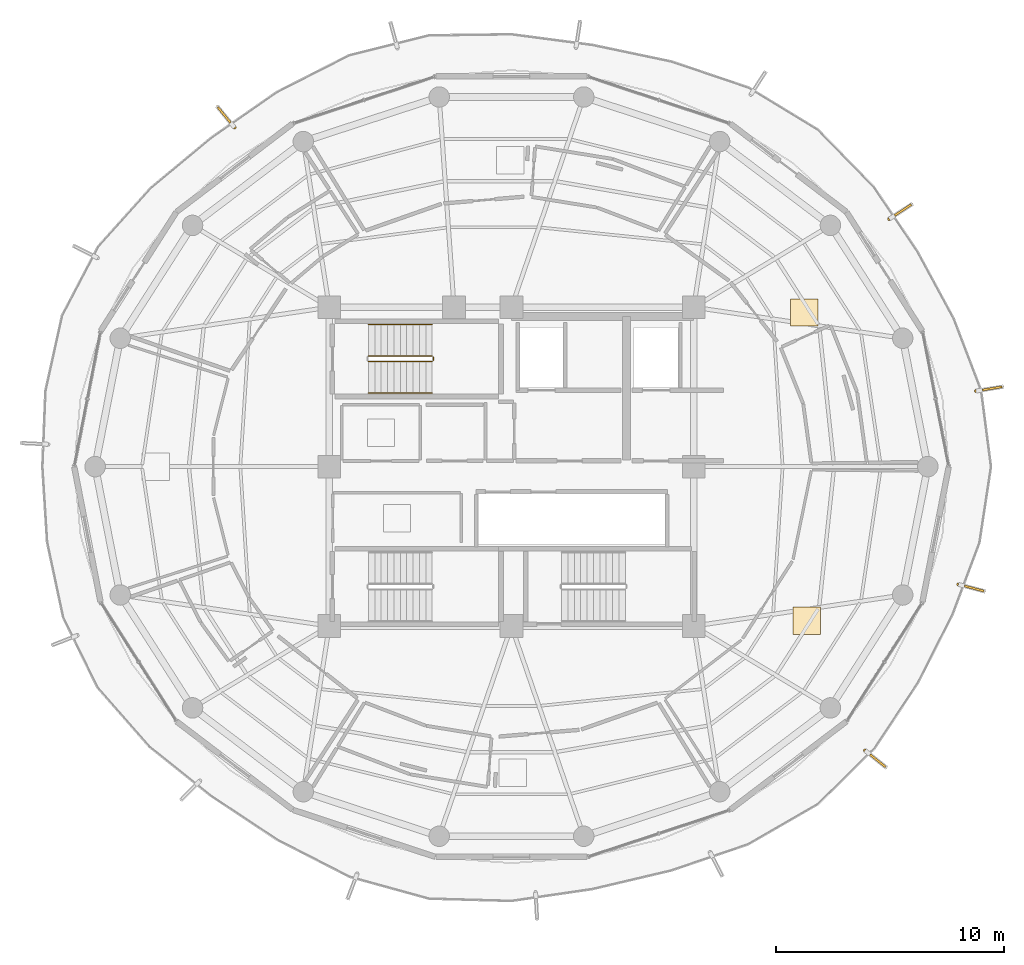
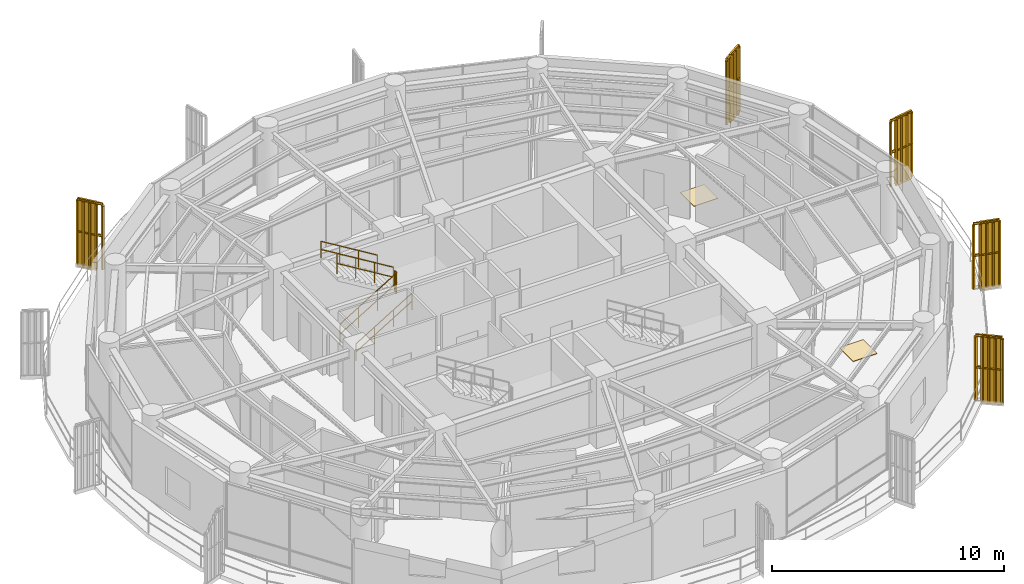
# One storey, part 22 of 23: 10 railings, 5 shading devices, 2 coverings.
"""IFC4 building model written with IfcOpenShell, lengths in metres."""

from ifc_helpers import new_model, si_unit, direction, frame, origin, origin_2d, place, context, subcontext, project, spatial, polyline, rectangle, outline, extrude, source, transform, mapped, material, layer, layer_set, type_object, element, save


model = new_model("IFC4")

# Units and contexts
model_context = context("Model", 3, precision=1e-05, world=origin(), true_north=direction((0.0, 1.0)))
body_context = subcontext(model_context, "Body", "Model", "MODEL_VIEW")
ifc_project = project(units=[si_unit("LENGTHUNIT", "METRE"), si_unit("AREAUNIT", "SQUARE_METRE"), si_unit("VOLUMEUNIT", "CUBIC_METRE"), si_unit("PLANEANGLEUNIT", "RADIAN"), si_unit("MASSUNIT", "GRAM", prefix="KILO")], contexts=[model_context])

# Site, building, storey
site_placement = place(None, origin())
site = spatial("IfcSite", under=ifc_project, at=site_placement, CompositionType="ELEMENT")
building_placement = place(site_placement, origin())
building = spatial("IfcBuilding", under=site, at=building_placement, Name="Kelanora Arch Commons", CompositionType="ELEMENT")
storey_placement = place(building_placement, frame((0.0, 0.0, 278.699951171875)))
storey = spatial("IfcBuildingStorey", under=building, at=storey_placement, Name="L71", CompositionType="ELEMENT", Elevation=278.699951171875)

# Railings
ifc_material_1 = material(Name="Anodised bronze vertical shading fin rib assembly")
railing_type_1 = type_object("IfcRailingType", Name="RAIL-FIN-BRZ", PredefinedType="BALUSTRADE", material=ifc_material_1)
railing_1_placement = place(storey_placement, frame((93.62158203125, 52.8310546875, -0.02001953125)))
element("IfcRailing", 1, at=railing_1_placement, inside=storey, type_object=railing_type_1, Name="Sweeping Bronze Vertical Fin Blade L71-00", PredefinedType="BALUSTRADE", context=body_context, shape_type="SweptSolid", body=[
    extrude(outline(polyline([(0.06982421875, 0.0), (0.034912109375, 0.060546875), (-0.034912109375, 0.060546875), (-0.06982421875, 0.0), (-0.034912109375, -0.060546875), (0.034912109375, -0.060546875), (0.06982421875, 0.0)])), frame((0.0, 0.0, 3.419921875), z_axis=(0.967055505397, -0.254565609385, 0.0), x_axis=(0.254565609385, 0.967055505397, 0.0)), (0.0, 0.0, 1.0), 1.163330078125),
    extrude(outline(polyline([(0.06982421875, 0.0), (0.034912109375, 0.060546875), (-0.034912109375, 0.060546875), (-0.06982421875, 0.0), (-0.034912109375, -0.060546875), (0.034912109375, -0.060546875), (0.06982421875, 0.0)])), frame((0.0, 0.0, 1.7451171875), z_axis=(0.967055505397, -0.254565609385, 0.0), x_axis=(0.254565609385, 0.967055505397, 0.0)), (0.0, 0.0, 1.0), 1.163330078125),
    extrude(outline(polyline([(0.080078125, 0.0), (0.0400390625, 0.0693359375), (-0.0400390625, 0.0693359375), (-0.080078125, 0.0), (-0.0400390625, -0.0693359375), (0.0400390625, -0.0693359375), (0.080078125, 0.0)])), origin(), (0.0, 0.0, 1.0), 3.35009765625),
    extrude(outline(polyline([(0.080078125, 0.0), (0.0400390625, 0.0693359375), (-0.0400390625, 0.0693359375), (-0.080078125, 0.0), (-0.0400390625, -0.0693359375), (0.0400390625, -0.0693359375), (0.080078125, 0.0)])), frame((0.28125, -0.073974609375, 0.0)), (0.0, 0.0, 1.0), 3.35009765625),
    extrude(outline(polyline([(0.080078125, 0.0), (0.0400390625, 0.0693359375), (-0.0400390625, 0.0693359375), (-0.080078125, 0.0), (-0.0400390625, -0.0693359375), (0.0400390625, -0.0693359375), (0.080078125, 0.0)])), frame((0.5625, -0.14794921875, 0.0)), (0.0, 0.0, 1.0), 3.35009765625),
    extrude(outline(polyline([(0.080078125, 0.0), (0.0400390625, 0.0693359375), (-0.0400390625, 0.0693359375), (-0.080078125, 0.0), (-0.0400390625, -0.0693359375), (0.0400390625, -0.0693359375), (0.080078125, 0.0)])), frame((0.84375, -0.22216796875, 0.0)), (0.0, 0.0, 1.0), 3.35009765625),
    extrude(outline(polyline([(0.080078125, 0.0), (0.0400390625, 0.0693359375), (-0.0400390625, 0.0693359375), (-0.080078125, 0.0), (-0.0400390625, -0.0693359375), (0.0400390625, -0.0693359375), (0.080078125, 0.0)])), frame((1.125, -0.296142578125, 0.0)), (0.0, 0.0, 1.0), 3.35009765625),
])
railing_2_placement = place(storey_placement, frame((94.397216796875, 61.319091796875, -0.02001953125)))
element("IfcRailing", 2, at=railing_2_placement, inside=storey, type_object=railing_type_1, Name="Sweeping Bronze Vertical Fin Blade L71-01", PredefinedType="BALUSTRADE", context=body_context, shape_type="SweptSolid", body=[
    extrude(outline(polyline([(0.06982421875, 0.0), (0.034912109375, 0.060546875), (-0.034912109375, 0.060546875), (-0.06982421875, 0.0), (-0.034912109375, -0.060546875), (0.034912109375, -0.060546875), (0.06982421875, 0.0)])), frame((0.0, 0.0, 3.419921875), z_axis=(0.987027386888, 0.160551977667, 0.0), x_axis=(-0.160551977667, 0.987027386888, 0.0)), (0.0, 0.0, 1.0), 1.163330078125),
    extrude(outline(polyline([(0.06982421875, 0.0), (0.034912109375, 0.060546875), (-0.034912109375, 0.060546875), (-0.06982421875, 0.0), (-0.034912109375, -0.060546875), (0.034912109375, -0.060546875), (0.06982421875, 0.0)])), frame((0.0, 0.0, 1.7451171875), z_axis=(0.987027386888, 0.160551977667, 0.0), x_axis=(-0.160551977667, 0.987027386888, 0.0)), (0.0, 0.0, 1.0), 1.163330078125),
    extrude(outline(polyline([(0.080078125, 0.0), (0.0400390625, 0.0693359375), (-0.0400390625, 0.0693359375), (-0.080078125, 0.0), (-0.0400390625, -0.0693359375), (0.0400390625, -0.0693359375), (0.080078125, 0.0)])), origin(), (0.0, 0.0, 1.0), 3.35009765625),
    extrude(outline(polyline([(0.080078125, 0.0), (0.0400390625, 0.0693359375), (-0.0400390625, 0.0693359375), (-0.080078125, 0.0), (-0.0400390625, -0.0693359375), (0.0400390625, -0.0693359375), (0.080078125, 0.0)])), frame((0.287109375, 0.046630859375, 0.0)), (0.0, 0.0, 1.0), 3.35009765625),
    extrude(outline(polyline([(0.080078125, 0.0), (0.0400390625, 0.0693359375), (-0.0400390625, 0.0693359375), (-0.080078125, 0.0), (-0.0400390625, -0.0693359375), (0.0400390625, -0.0693359375), (0.080078125, 0.0)])), frame((0.57421875, 0.09326171875, 0.0)), (0.0, 0.0, 1.0), 3.35009765625),
    extrude(outline(polyline([(0.080078125, 0.0), (0.0400390625, 0.0693359375), (-0.0400390625, 0.0693359375), (-0.080078125, 0.0), (-0.0400390625, -0.0693359375), (0.0400390625, -0.0693359375), (0.080078125, 0.0)])), frame((0.861083984375, 0.14013671875, 0.0)), (0.0, 0.0, 1.0), 3.35009765625),
    extrude(outline(polyline([(0.080078125, 0.0), (0.0400390625, 0.0693359375), (-0.0400390625, 0.0693359375), (-0.080078125, 0.0), (-0.0400390625, -0.0693359375), (0.0400390625, -0.0693359375), (0.080078125, 0.0)])), frame((1.148193359375, 0.186767578125, 0.0)), (0.0, 0.0, 1.0), 3.35009765625),
])
railing_3_placement = place(storey_placement, frame((90.589599609375, 68.873291015625, -0.02001953125)))
element("IfcRailing", 3, at=railing_3_placement, inside=storey, type_object=railing_type_1, Name="Sweeping Bronze Vertical Fin Blade L71-02", PredefinedType="BALUSTRADE", context=body_context, shape_type="SweptSolid", body=[
    extrude(outline(polyline([(0.06982421875, 0.0), (0.034912109375, 0.060546875), (-0.034912109375, 0.060546875), (-0.06982421875, 0.0), (-0.034912109375, -0.060546875), (0.034912109375, -0.060546875), (0.06982421875, 0.0)])), frame((0.0, 0.0, 3.419921875), z_axis=(0.836351635695, 0.548193343146, 0.0), x_axis=(-0.548193343146, 0.836351635695, 0.0)), (0.0, 0.0, 1.0), 1.163330078125),
    extrude(outline(polyline([(0.06982421875, 0.0), (0.034912109375, 0.060546875), (-0.034912109375, 0.060546875), (-0.06982421875, 0.0), (-0.034912109375, -0.060546875), (0.034912109375, -0.060546875), (0.06982421875, 0.0)])), frame((0.0, 0.0, 1.7451171875), z_axis=(0.836351635695, 0.548193343146, 0.0), x_axis=(-0.548193343146, 0.836351635695, 0.0)), (0.0, 0.0, 1.0), 1.163330078125),
    extrude(outline(polyline([(0.080078125, 0.0), (0.0400390625, 0.0693359375), (-0.0400390625, 0.0693359375), (-0.080078125, 0.0), (-0.0400390625, -0.0693359375), (0.0400390625, -0.0693359375), (0.080078125, 0.0)])), origin(), (0.0, 0.0, 1.0), 3.35009765625),
    extrude(outline(polyline([(0.080078125, 0.0), (0.0400390625, 0.0693359375), (-0.0400390625, 0.0693359375), (-0.080078125, 0.0), (-0.0400390625, -0.0693359375), (0.0400390625, -0.0693359375), (0.080078125, 0.0)])), frame((0.2431640625, 0.159423828125, 0.0)), (0.0, 0.0, 1.0), 3.35009765625),
    extrude(outline(polyline([(0.080078125, 0.0), (0.0400390625, 0.0693359375), (-0.0400390625, 0.0693359375), (-0.080078125, 0.0), (-0.0400390625, -0.0693359375), (0.0400390625, -0.0693359375), (0.080078125, 0.0)])), frame((0.486328125, 0.31884765625, 0.0)), (0.0, 0.0, 1.0), 3.35009765625),
    extrude(outline(polyline([(0.080078125, 0.0), (0.0400390625, 0.0693359375), (-0.0400390625, 0.0693359375), (-0.080078125, 0.0), (-0.0400390625, -0.0693359375), (0.0400390625, -0.0693359375), (0.080078125, 0.0)])), frame((0.729736328125, 0.478271484375, 0.0)), (0.0, 0.0, 1.0), 3.35009765625),
    extrude(outline(polyline([(0.080078125, 0.0), (0.0400390625, 0.0693359375), (-0.0400390625, 0.0693359375), (-0.080078125, 0.0), (-0.0400390625, -0.0693359375), (0.0400390625, -0.0693359375), (0.080078125, 0.0)])), frame((0.972900390625, 0.6376953125, 0.0)), (0.0, 0.0, 1.0), 3.35009765625),
])
railing_4_placement = place(storey_placement, frame((61.84130859375, 72.885986328125, -0.02001953125)))
element("IfcRailing", 4, at=railing_4_placement, inside=storey, type_object=railing_type_1, Name="Sweeping Bronze Vertical Fin Blade L71-06", PredefinedType="BALUSTRADE", context=body_context, shape_type="SweptSolid", body=[
    extrude(outline(polyline([(0.06982421875, 0.0), (0.034912109375, 0.060546875), (-0.034912109375, 0.060546875), (-0.06982421875, 0.0), (-0.034912109375, -0.060546875), (0.034912109375, -0.060546875), (0.06982421875, 0.0)])), frame((0.0, 0.0, 3.419921875), z_axis=(-0.632723393243, 0.774377884268, 0.0), x_axis=(-0.774377884268, -0.632723393243, 0.0)), (0.0, 0.0, 1.0), 1.163330078125),
    extrude(outline(polyline([(0.06982421875, 0.0), (0.034912109375, 0.060546875), (-0.034912109375, 0.060546875), (-0.06982421875, 0.0), (-0.034912109375, -0.060546875), (0.034912109375, -0.060546875), (0.06982421875, 0.0)])), frame((0.0, 0.0, 1.7451171875), z_axis=(-0.632723393243, 0.774377884268, 0.0), x_axis=(-0.774377884268, -0.632723393243, 0.0)), (0.0, 0.0, 1.0), 1.163330078125),
    extrude(outline(polyline([(0.080078125, 0.0), (0.0400390625, 0.0693359375), (-0.0400390625, 0.0693359375), (-0.080078125, 0.0), (-0.0400390625, -0.0693359375), (0.0400390625, -0.0693359375), (0.080078125, 0.0)])), origin(), (0.0, 0.0, 1.0), 3.35009765625),
    extrude(outline(polyline([(0.080078125, 0.0), (0.0400390625, 0.0693359375), (-0.0400390625, 0.0693359375), (-0.080078125, 0.0), (-0.0400390625, -0.0693359375), (0.0400390625, -0.0693359375), (0.080078125, 0.0)])), frame((-0.18408203125, 0.22509765625, 0.0)), (0.0, 0.0, 1.0), 3.35009765625),
    extrude(outline(polyline([(0.080078125, 0.0), (0.0400390625, 0.0693359375), (-0.0400390625, 0.0693359375), (-0.080078125, 0.0), (-0.0400390625, -0.0693359375), (0.0400390625, -0.0693359375), (0.080078125, 0.0)])), frame((-0.3681640625, 0.450439453125, 0.0)), (0.0, 0.0, 1.0), 3.35009765625),
    extrude(outline(polyline([(0.080078125, 0.0), (0.0400390625, 0.0693359375), (-0.0400390625, 0.0693359375), (-0.080078125, 0.0), (-0.0400390625, -0.0693359375), (0.0400390625, -0.0693359375), (0.080078125, 0.0)])), frame((-0.552001953125, 0.67578125, 0.0)), (0.0, 0.0, 1.0), 3.35009765625),
    extrude(outline(polyline([(0.080078125, 0.0), (0.0400390625, 0.0693359375), (-0.0400390625, 0.0693359375), (-0.080078125, 0.0), (-0.0400390625, -0.0693359375), (0.0400390625, -0.0693359375), (0.080078125, 0.0)])), frame((-0.736083984375, 0.90087890625, 0.0)), (0.0, 0.0, 1.0), 3.35009765625),
])
railing_5_placement = place(storey_placement, frame((89.5234375, 45.53759765625, -0.02001953125)))
element("IfcRailing", 5, at=railing_5_placement, inside=storey, type_object=railing_type_1, Name="Sweeping Bronze Vertical Fin Blade L71-14", PredefinedType="BALUSTRADE", context=body_context, shape_type="SweptSolid", body=[
    extrude(outline(polyline([(0.06982421875, 0.0), (0.034912109375, 0.060546875), (-0.034912109375, 0.060546875), (-0.06982421875, 0.0), (-0.034912109375, -0.060546875), (0.034912109375, -0.060546875), (0.06982421875, 0.0)])), frame((0.0, 0.0, 3.419921875), z_axis=(0.779741301454, -0.62610183102, 0.0), x_axis=(0.62610183102, 0.779741301454, 0.0)), (0.0, 0.0, 1.0), 1.1630859375),
    extrude(outline(polyline([(0.06982421875, 0.0), (0.034912109375, 0.060546875), (-0.034912109375, 0.060546875), (-0.06982421875, 0.0), (-0.034912109375, -0.060546875), (0.034912109375, -0.060546875), (0.06982421875, 0.0)])), frame((0.0, 0.0, 1.7451171875), z_axis=(0.779741301454, -0.62610183102, 0.0), x_axis=(0.62610183102, 0.779741301454, 0.0)), (0.0, 0.0, 1.0), 1.1630859375),
    extrude(outline(polyline([(0.080078125, 0.0), (0.0400390625, 0.0693359375), (-0.0400390625, 0.0693359375), (-0.080078125, 0.0), (-0.0400390625, -0.0693359375), (0.0400390625, -0.0693359375), (0.080078125, 0.0)])), origin(), (0.0, 0.0, 1.0), 3.35009765625),
    extrude(outline(polyline([(0.080078125, 0.0), (0.0400390625, 0.0693359375), (-0.0400390625, 0.0693359375), (-0.080078125, 0.0), (-0.0400390625, -0.0693359375), (0.0400390625, -0.0693359375), (0.080078125, 0.0)])), frame((0.226806640625, -0.18212890625, 0.0)), (0.0, 0.0, 1.0), 3.35009765625),
    extrude(outline(polyline([(0.080078125, 0.0), (0.0400390625, 0.0693359375), (-0.0400390625, 0.0693359375), (-0.080078125, 0.0), (-0.0400390625, -0.0693359375), (0.0400390625, -0.0693359375), (0.080078125, 0.0)])), frame((0.45361328125, -0.3642578125, 0.0)), (0.0, 0.0, 1.0), 3.35009765625),
    extrude(outline(polyline([(0.080078125, 0.0), (0.0400390625, 0.0693359375), (-0.0400390625, 0.0693359375), (-0.080078125, 0.0), (-0.0400390625, -0.0693359375), (0.0400390625, -0.0693359375), (0.080078125, 0.0)])), frame((0.68017578125, -0.546142578125, 0.0)), (0.0, 0.0, 1.0), 3.35009765625),
    extrude(outline(polyline([(0.080078125, 0.0), (0.0400390625, 0.0693359375), (-0.0400390625, 0.0693359375), (-0.080078125, 0.0), (-0.0400390625, -0.0693359375), (0.0400390625, -0.0693359375), (0.080078125, 0.0)])), frame((0.906982421875, -0.728271484375, 0.0)), (0.0, 0.0, 1.0), 3.35009765625),
])
ifc_material_2 = material(Name="Painted steel stair well guard", Category="steel")
railing_type_2 = type_object("IfcRailingType", Name="RAIL-STAIR-GRD", PredefinedType="GUARDRAIL", material=ifc_material_2)
railing_6_placement = place(storey_placement, frame((67.719970703125, 62.610107421875, 0.17041015625)))
element("IfcRailing", 6, at=railing_6_placement, inside=storey, type_object=railing_type_2, Name="L71 ST-T1 stair guard 1", PredefinedType="GUARDRAIL", context=body_context, shape_type="SweptSolid", body=[
    extrude(outline(polyline([(0.02392578125, 0.0), (0.011962890625, 0.020751953125), (-0.011962890625, 0.020751953125), (-0.02392578125, 0.0), (-0.011962890625, -0.020751953125), (0.011962890625, -0.020751953125), (0.02392578125, 0.0)])), frame((0.0, 0.0, 1.076171875), z_axis=(0.854169791009, 0.0, 0.51999420009), x_axis=(0.0, 1.0, 0.0)), (0.0, 0.0, 1.0), 3.278076171875),
    extrude(outline(polyline([(0.02392578125, 0.0), (0.011962890625, 0.020751953125), (-0.011962890625, 0.020751953125), (-0.02392578125, 0.0), (-0.011962890625, -0.020751953125), (0.011962890625, -0.020751953125), (0.02392578125, 0.0)])), frame((0.0, 0.0, 0.550048828125), z_axis=(0.854169791009, 0.0, 0.51999420009), x_axis=(0.0, 1.0, 0.0)), (0.0, 0.0, 1.0), 3.278076171875),
    extrude(outline(polyline([(0.02099609375, 0.0), (0.010498046875, 0.01806640625), (-0.010498046875, 0.01806640625), (-0.02099609375, 0.0), (-0.010498046875, -0.01806640625), (0.010498046875, -0.01806640625), (0.02099609375, 0.0)])), origin(), (0.0, 0.0, 1.0), 1.052001953125),
    extrude(outline(polyline([(0.02099609375, 0.0), (0.010498046875, 0.01806640625), (-0.010498046875, 0.01806640625), (-0.02099609375, 0.0), (-0.010498046875, -0.01806640625), (0.010498046875, -0.01806640625), (0.02099609375, 0.0)])), frame((0.933349609375, 0.0, 0.568115234375)), (0.0, 0.0, 1.0), 1.052001953125),
    extrude(outline(polyline([(0.02099609375, 0.0), (0.010498046875, 0.01806640625), (-0.010498046875, 0.01806640625), (-0.02099609375, 0.0), (-0.010498046875, -0.01806640625), (0.010498046875, -0.01806640625), (0.02099609375, 0.0)])), frame((1.86669921875, 0.0, 1.136474609375)), (0.0, 0.0, 1.0), 1.052001953125),
    extrude(outline(polyline([(0.02099609375, 0.0), (0.010498046875, 0.01806640625), (-0.010498046875, 0.01806640625), (-0.02099609375, 0.0), (-0.010498046875, -0.01806640625), (0.010498046875, -0.01806640625), (0.02099609375, 0.0)])), frame((2.800048828125, 0.0, 1.70458984375)), (0.0, 0.0, 1.0), 1.052001953125),
])
railing_7_placement = place(storey_placement, frame((70.570068359375, 62.659912109375, 1.875)))
element("IfcRailing", 7, at=railing_7_placement, inside=storey, type_object=railing_type_2, Name="L71 ST-T1 stair guard 2", PredefinedType="GUARDRAIL", context=body_context, shape_type="SweptSolid", body=[
    extrude(outline(polyline([(0.02392578125, 0.0), (0.011962890625, 0.020751953125), (-0.011962890625, 0.020751953125), (-0.02392578125, 0.0), (-0.011962890625, -0.020751953125), (0.011962890625, -0.020751953125), (0.02392578125, 0.0)])), frame((0.0, 0.0, 1.076171875), z_axis=(0.0, 1.0, 0.0), x_axis=(-1.0, 0.0, 0.0)), (0.0, 0.0, 1.0), 0.150146484375),
    extrude(outline(polyline([(0.02392578125, 0.0), (0.011962890625, 0.020751953125), (-0.011962890625, 0.020751953125), (-0.02392578125, 0.0), (-0.011962890625, -0.020751953125), (0.011962890625, -0.020751953125), (0.02392578125, 0.0)])), frame((0.0, 0.0, 0.550048828125), z_axis=(0.0, 1.0, 0.0), x_axis=(-1.0, 0.0, 0.0)), (0.0, 0.0, 1.0), 0.150146484375),
    extrude(outline(polyline([(0.02099609375, 0.0), (0.010498046875, 0.01806640625), (-0.010498046875, 0.01806640625), (-0.02099609375, 0.0), (-0.010498046875, -0.01806640625), (0.010498046875, -0.01806640625), (0.02099609375, 0.0)])), origin(), (0.0, 0.0, 1.0), 1.052001953125),
    extrude(outline(polyline([(0.02099609375, 0.0), (0.010498046875, 0.01806640625), (-0.010498046875, 0.01806640625), (-0.02099609375, 0.0), (-0.010498046875, -0.01806640625), (0.010498046875, -0.01806640625), (0.02099609375, 0.0)])), frame((0.0, 0.150146484375, 0.0)), (0.0, 0.0, 1.0), 1.052001953125),
])
railing_8_placement = place(storey_placement, frame((70.52001953125, 62.860107421875, 2.04541015625)))
element("IfcRailing", 8, at=railing_8_placement, inside=storey, type_object=railing_type_2, Name="L71 ST-T1 stair guard 3", PredefinedType="GUARDRAIL", context=body_context, shape_type="SweptSolid", body=[
    extrude(outline(polyline([(0.02392578125, 0.0), (0.011962890625, 0.020751953125), (-0.011962890625, 0.020751953125), (-0.02392578125, 0.0), (-0.011962890625, -0.020751953125), (0.011962890625, -0.020751953125), (0.02392578125, 0.0)])), frame((0.0, 0.0, 1.076171875), z_axis=(-0.854169791009, 0.0, 0.51999420009), x_axis=(0.0, -1.0, 0.0)), (0.0, 0.0, 1.0), 3.278076171875),
    extrude(outline(polyline([(0.02392578125, 0.0), (0.011962890625, 0.020751953125), (-0.011962890625, 0.020751953125), (-0.02392578125, 0.0), (-0.011962890625, -0.020751953125), (0.011962890625, -0.020751953125), (0.02392578125, 0.0)])), frame((0.0, 0.0, 0.550048828125), z_axis=(-0.854169791009, 0.0, 0.51999420009), x_axis=(0.0, -1.0, 0.0)), (0.0, 0.0, 1.0), 3.278076171875),
    extrude(outline(polyline([(0.02099609375, 0.0), (0.010498046875, 0.01806640625), (-0.010498046875, 0.01806640625), (-0.02099609375, 0.0), (-0.010498046875, -0.01806640625), (0.010498046875, -0.01806640625), (0.02099609375, 0.0)])), origin(), (0.0, 0.0, 1.0), 1.052001953125),
    extrude(outline(polyline([(0.02099609375, 0.0), (0.010498046875, 0.01806640625), (-0.010498046875, 0.01806640625), (-0.02099609375, 0.0), (-0.010498046875, -0.01806640625), (0.010498046875, -0.01806640625), (0.02099609375, 0.0)])), frame((-0.933349609375, 0.0, 0.568115234375)), (0.0, 0.0, 1.0), 1.052001953125),
    extrude(outline(polyline([(0.02099609375, 0.0), (0.010498046875, 0.01806640625), (-0.010498046875, 0.01806640625), (-0.02099609375, 0.0), (-0.010498046875, -0.01806640625), (0.010498046875, -0.01806640625), (0.02099609375, 0.0)])), frame((-1.86669921875, 0.0, 1.136474609375)), (0.0, 0.0, 1.0), 1.052001953125),
    extrude(outline(polyline([(0.02099609375, 0.0), (0.010498046875, 0.01806640625), (-0.010498046875, 0.01806640625), (-0.02099609375, 0.0), (-0.010498046875, -0.01806640625), (0.010498046875, -0.01806640625), (0.02099609375, 0.0)])), frame((-2.800048828125, 0.0, 1.70458984375)), (0.0, 0.0, 1.0), 1.052001953125),
])
ifc_material_3 = material(Name="Brushed stainless steel stair handrail", Category="steel")
railing_type_3 = type_object("IfcRailingType", Name="RAIL-STAIR-HND", PredefinedType="HANDRAIL", material=ifc_material_3)
railing_9_placement = place(storey_placement, frame((67.719970703125, 61.22998046875, 0.17041015625)))
element("IfcRailing", 9, at=railing_9_placement, inside=storey, type_object=railing_type_3, Name="L71 ST-T1 stair handrail 1", PredefinedType="HANDRAIL", context=body_context, shape_type="SweptSolid", body=[
    extrude(outline(polyline([(0.02392578125, 0.0), (0.011962890625, 0.020751953125), (-0.011962890625, 0.020751953125), (-0.02392578125, 0.0), (-0.011962890625, -0.020751953125), (0.011962890625, -0.020751953125), (0.02392578125, 0.0)])), frame((0.0, 0.0, 0.8759765625), z_axis=(0.854169791009, 0.0, 0.51999420009), x_axis=(0.0, 1.0, 0.0)), (0.0, 0.0, 1.0), 3.278076171875),
    extrude(outline(polyline([(0.02392578125, 0.0), (0.011962890625, 0.020751953125), (-0.011962890625, 0.020751953125), (-0.02392578125, 0.0), (-0.011962890625, -0.020751953125), (0.011962890625, -0.020751953125), (0.02392578125, 0.0)])), frame((0.0, 0.0, 0.449951171875), z_axis=(0.854169791009, 0.0, 0.51999420009), x_axis=(0.0, 1.0, 0.0)), (0.0, 0.0, 1.0), 3.278076171875),
    extrude(outline(polyline([(0.02099609375, 0.0), (0.010498046875, 0.01806640625), (-0.010498046875, 0.01806640625), (-0.02099609375, 0.0), (-0.010498046875, -0.01806640625), (0.010498046875, -0.01806640625), (0.02099609375, 0.0)])), origin(), (0.0, 0.0, 1.0), 0.851806640625),
    extrude(outline(polyline([(0.02099609375, 0.0), (0.010498046875, 0.01806640625), (-0.010498046875, 0.01806640625), (-0.02099609375, 0.0), (-0.010498046875, -0.01806640625), (0.010498046875, -0.01806640625), (0.02099609375, 0.0)])), frame((0.933349609375, 0.0, 0.568115234375)), (0.0, 0.0, 1.0), 0.851806640625),
    extrude(outline(polyline([(0.02099609375, 0.0), (0.010498046875, 0.01806640625), (-0.010498046875, 0.01806640625), (-0.02099609375, 0.0), (-0.010498046875, -0.01806640625), (0.010498046875, -0.01806640625), (0.02099609375, 0.0)])), frame((1.86669921875, 0.0, 1.136474609375)), (0.0, 0.0, 1.0), 0.851806640625),
    extrude(outline(polyline([(0.02099609375, 0.0), (0.010498046875, 0.01806640625), (-0.010498046875, 0.01806640625), (-0.02099609375, 0.0), (-0.010498046875, -0.01806640625), (0.010498046875, -0.01806640625), (0.02099609375, 0.0)])), frame((2.800048828125, 0.0, 1.70458984375)), (0.0, 0.0, 1.0), 0.851806640625),
])
railing_10_placement = place(storey_placement, frame((70.52001953125, 64.239990234375, 2.04541015625)))
element("IfcRailing", 10, at=railing_10_placement, inside=storey, type_object=railing_type_3, Name="L71 ST-T1 stair handrail 2", PredefinedType="HANDRAIL", context=body_context, shape_type="SweptSolid", body=[
    extrude(outline(polyline([(0.02392578125, 0.0), (0.011962890625, 0.020751953125), (-0.011962890625, 0.020751953125), (-0.02392578125, 0.0), (-0.011962890625, -0.020751953125), (0.011962890625, -0.020751953125), (0.02392578125, 0.0)])), frame((0.0, 0.0, 0.8759765625), z_axis=(-0.854169791009, 0.0, 0.51999420009), x_axis=(0.0, -1.0, 0.0)), (0.0, 0.0, 1.0), 3.278076171875),
    extrude(outline(polyline([(0.02392578125, 0.0), (0.011962890625, 0.020751953125), (-0.011962890625, 0.020751953125), (-0.02392578125, 0.0), (-0.011962890625, -0.020751953125), (0.011962890625, -0.020751953125), (0.02392578125, 0.0)])), frame((0.0, 0.0, 0.449951171875), z_axis=(-0.854169791009, 0.0, 0.51999420009), x_axis=(0.0, -1.0, 0.0)), (0.0, 0.0, 1.0), 3.278076171875),
    extrude(outline(polyline([(0.02099609375, 0.0), (0.010498046875, 0.01806640625), (-0.010498046875, 0.01806640625), (-0.02099609375, 0.0), (-0.010498046875, -0.01806640625), (0.010498046875, -0.01806640625), (0.02099609375, 0.0)])), origin(), (0.0, 0.0, 1.0), 0.851806640625),
    extrude(outline(polyline([(0.02099609375, 0.0), (0.010498046875, 0.01806640625), (-0.010498046875, 0.01806640625), (-0.02099609375, 0.0), (-0.010498046875, -0.01806640625), (0.010498046875, -0.01806640625), (0.02099609375, 0.0)])), frame((-0.933349609375, 0.0, 0.568115234375)), (0.0, 0.0, 1.0), 0.851806640625),
    extrude(outline(polyline([(0.02099609375, 0.0), (0.010498046875, 0.01806640625), (-0.010498046875, 0.01806640625), (-0.02099609375, 0.0), (-0.010498046875, -0.01806640625), (0.010498046875, -0.01806640625), (0.02099609375, 0.0)])), frame((-1.86669921875, 0.0, 1.136474609375)), (0.0, 0.0, 1.0), 0.851806640625),
    extrude(outline(polyline([(0.02099609375, 0.0), (0.010498046875, 0.01806640625), (-0.010498046875, 0.01806640625), (-0.02099609375, 0.0), (-0.010498046875, -0.01806640625), (0.010498046875, -0.01806640625), (0.02099609375, 0.0)])), frame((-2.800048828125, 0.0, 1.70458984375)), (0.0, 0.0, 1.0), 0.851806640625),
])

# Shading devices
ifc_material_4 = material(Name="Terracotta ceramic-clad extruded aluminium fin", Category="masonry")
shading_device_type = type_object("IfcShadingDeviceType", Name="SHD-FIN-FLARE", PredefinedType="USERDEFINED", material=ifc_material_4)
shared_shape_1 = source(origin(), body_context, "Body", "SweptSolid", [
    extrude(rectangle(XDim=0.8798828125, YDim=0.090087890625, at=origin_2d()), origin(), (0.0, 0.0, 1.0), 3.610107421875),
])
for number, where, z_axis, x_axis, name in (
    (11, (94.318115234375, 52.647705078125, -0.14013671875), (0.0, 0.0, 1.0), (0.967001487762, -0.254770725683, 0.0), "Sweeping Terracotta Fin L71-00"),
    (12, (95.10791015625, 61.4345703125, -0.14013671875), (0.0, 0.0, 1.0), (0.987024406397, 0.160570299793, 0.0), "Sweeping Terracotta Fin L71-01"),
    (13, (91.19189453125, 69.26806640625, -0.14013671875), (0.0, 0.0, 1.0), (0.836381838331, 0.548147261701, 0.0), "Sweeping Terracotta Fin L71-02"),
    (14, (61.3857421875, 73.443603515625, -0.14013671875), (0.0, 0.0, 1.0), (-0.632570161913, 0.774503060199, 0.0), "Sweeping Terracotta Fin L71-06"),
    (15, (90.084716796875, 45.0869140625, -0.14013671875), (0.0, 0.0, 1.0), (0.779775226961, -0.62605957817, 0.0), "Sweeping Terracotta Fin L71-14"),
):
    element("IfcShadingDevice", number, at=place(storey_placement, frame(where, z_axis=z_axis, x_axis=x_axis)), inside=storey, type_object=shading_device_type, Name=name, ObjectType="FIN", PredefinedType="USERDEFINED", context=body_context, shape_type="MappedRepresentation", body=[
        mapped(shared_shape_1, transform((0.0, 0.0, 0.0), scale=1.0)),
    ])

# Coverings
ifc_material_5 = material(Name="Polished local granite terrazzo flooring", Category="masonry")
ifc_layer = layer(ifc_material_5, 0.030029296875)
ifc_layer_set = layer_set([ifc_layer], Name="Polished local granite terrazzo flooring")
covering_type = type_object("IfcCoveringType", Name="COV-FLR-TER", PredefinedType="FLOORING", material=ifc_layer_set)
shared_shape_2 = source(origin(), body_context, "Body", "SweptSolid", [
    extrude(rectangle(XDim=1.199951171875, YDim=1.199951171875, at=origin_2d()), origin(), (0.0, 0.0, 1.0), 0.030029296875),
])
for number, where, z_axis, x_axis, name in (
    (16, (86.962158203125, 51.236083984375, 0.0), (0.0, 0.0, 1.0), (1.0, 0.0, 0.0), "Quiet Seminar Study Room L71-06 Terrazzo Finish"),
    (17, (86.855224609375, 64.76806640625, 0.0), (0.0, 0.0, 1.0), (1.0, 0.0, 0.0), "Co-Living Studio L71-07 Terrazzo Finish"),
):
    element("IfcCovering", number, at=place(storey_placement, frame(where, z_axis=z_axis, x_axis=x_axis)), inside=storey, type_object=covering_type, Name=name, PredefinedType="FLOORING", context=body_context, shape_type="MappedRepresentation", body=[
        mapped(shared_shape_2, transform((0.0, 0.0, 0.0), scale=1.0)),
    ])

save(model, "model.ifc")
